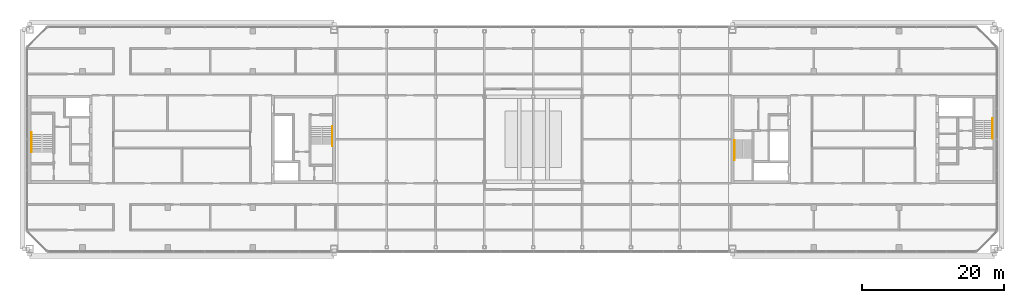
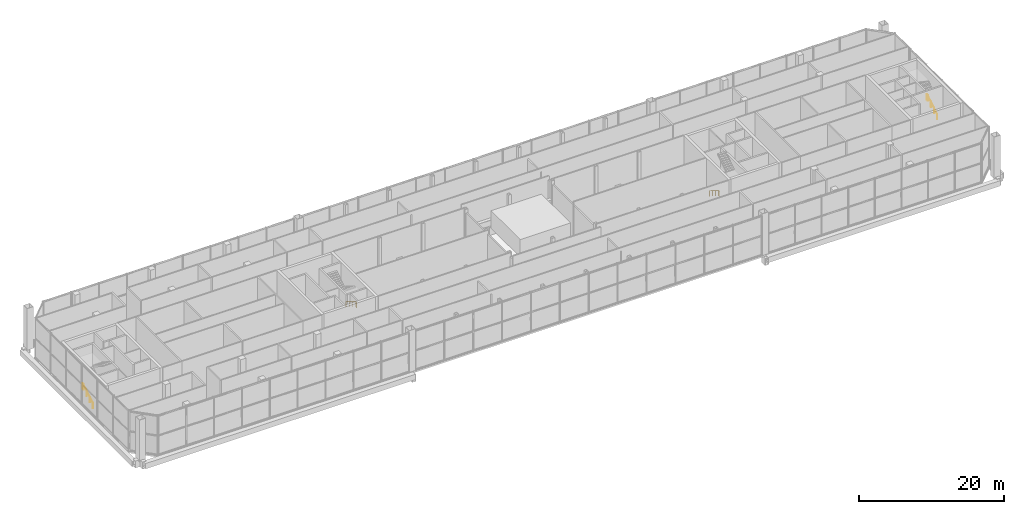
# One storey, part 27 of 27: 4 railings.
"""IFC4 building model written with IfcOpenShell, lengths in metres."""

import ifcopenshell
import ifcopenshell.guid

model = None  # the IFC model being written
_history = None  # IfcOwnerHistory: only IFC2X3 demands one
_inside = {}  # id of a spatial element -> (the spatial element, [elements in it])
_under = {}  # id of a project, library or spatial element -> (it, [spatial elements below it])
_declared = {}  # id of a project -> (the project, [libraries it declares])
_typed = {}  # id of a type object -> (the type object, [elements of that type])
_made_of = {}  # id of a material, layer set ... -> (it, [elements and type objects made of it])


def new_model(schema):
    """Start an empty IFC model of exactly this schema.

    Asked for "IFC4X3", IfcOpenShell would pick the latest addendum, in which some entities
    have other attributes; the version numbers below select the first issue.
    IFC2X3 requires an IfcOwnerHistory on every rooted entity: one is made here for all.
    """
    global model, _history
    if schema == "IFC4X3":
        model = ifcopenshell.file(schema_version=(4, 3, 0, 0))
    else:
        model = ifcopenshell.file(schema=schema)
    _inside.clear()
    _under.clear()
    _declared.clear()
    _typed.clear()
    _made_of.clear()
    _history = None
    if model.schema == "IFC2X3":
        org = make("IfcOrganization", Name="unknown")
        user = make(
            "IfcPersonAndOrganization",
            ThePerson=make("IfcPerson", FamilyName="unknown"),
            TheOrganization=org,
        )
        app = make(
            "IfcApplication",
            ApplicationDeveloper=org,
            Version="unknown",
            ApplicationFullName="unknown",
            ApplicationIdentifier="unknown",
        )
        _history = make(
            "IfcOwnerHistory",
            OwningUser=user,
            OwningApplication=app,
            ChangeAction="ADDED",
            CreationDate=0,
        )
    return model


def make(cls, **values):
    """One entity of the class cls with the attributes given. An attribute that is None is left unset."""
    return model.create_entity(
        cls, **{name: value for name, value in values.items() if value is not None}
    )


def rooted(cls, **values):
    """An entity with a GlobalId (a new one), such as an element, a storey or a relation."""
    return make(cls, GlobalId=ifcopenshell.guid.new(), OwnerHistory=_history, **values)


def si_unit(unit_type, name, prefix=None):
    """IfcSIUnit, for example si_unit("LENGTHUNIT", "METRE", prefix="MILLI")."""
    return make("IfcSIUnit", UnitType=unit_type, Prefix=prefix, Name=name)


def assignment(units):
    """IfcUnitAssignment: the units of a project."""
    return None if units is None else make("IfcUnitAssignment", Units=units)


def point(xyz):
    """IfcCartesianPoint."""
    return None if xyz is None else make("IfcCartesianPoint", Coordinates=xyz)


def direction(xyz):
    """IfcDirection."""
    return None if xyz is None else make("IfcDirection", DirectionRatios=xyz)


def frame(location, z_axis=None, x_axis=None):
    """IfcAxis2Placement3D, a coordinate frame: its origin and axes. An axis left out is left unset."""
    return make(
        "IfcAxis2Placement3D",
        Location=point(location),
        Axis=direction(z_axis),
        RefDirection=direction(x_axis),
    )


def frame_2d(location, x_axis=None):
    """IfcAxis2Placement2D, a coordinate frame in the plane: its origin and x axis."""
    return make(
        "IfcAxis2Placement2D", Location=point(location), RefDirection=direction(x_axis)
    )


def origin():
    """The frame at (0, 0, 0) with its axes left unset."""
    return frame((0.0, 0.0, 0.0))


def origin_2d():
    """The frame at (0, 0) in the plane with its x axis left unset."""
    return frame_2d((0.0, 0.0))


def place(relative_to, where):
    """IfcLocalPlacement: puts the frame where relative to a parent placement (None: the world)."""
    return make(
        "IfcLocalPlacement", PlacementRelTo=relative_to, RelativePlacement=where
    )


def context(
    kind, dimensions, precision=None, world=None, true_north=None, identifier=None
):
    """IfcGeometricRepresentationContext, for example the 3D "Model" context."""
    return make(
        "IfcGeometricRepresentationContext",
        ContextIdentifier=identifier,
        ContextType=kind,
        CoordinateSpaceDimension=dimensions,
        Precision=precision,
        WorldCoordinateSystem=world,
        TrueNorth=true_north,
    )


def subcontext(parent, identifier, kind, view, scale=None):
    """IfcGeometricRepresentationSubContext, for example "Body" below "Model"."""
    return make(
        "IfcGeometricRepresentationSubContext",
        ContextIdentifier=identifier,
        ContextType=kind,
        ParentContext=parent,
        TargetScale=scale,
        TargetView=view,
    )


def project(units=None, contexts=None):
    """IfcProject with its units and contexts."""
    return rooted(
        "IfcProject",
        Name="project",
        RepresentationContexts=contexts,
        UnitsInContext=assignment(units),
    )


def spatial(cls, under=None, at=None, **own):
    """A site, building, storey or space (cls), placed at a placement, below another one or the project."""
    s = rooted(cls, ObjectPlacement=at, **own)
    if under is not None:
        _under.setdefault(under.id(), (under, []))[1].append(s)
    return s


def profile(cls, at=None, kind="AREA", **sizes):
    """A parametric profile (cls). Its sizes go by their IFC names, for example OverallWidth=200.0."""
    return make(cls, ProfileType=kind, Position=at, **sizes)


def circle(**sizes):
    """IfcCircleProfileDef."""
    return profile("IfcCircleProfileDef", **sizes)


def extrude(swept, where, along, depth):
    """IfcExtrudedAreaSolid: the profile swept, set in the frame where, extruded along a direction by depth."""
    return make(
        "IfcExtrudedAreaSolid",
        SweptArea=swept,
        Position=where,
        ExtrudedDirection=direction(along),
        Depth=depth,
    )


def shape(context_of_items, identifier, shape_type, items):
    """IfcShapeRepresentation: the items that make up one representation, for example the "Body"."""
    return make(
        "IfcShapeRepresentation",
        ContextOfItems=context_of_items,
        RepresentationIdentifier=identifier,
        RepresentationType=shape_type,
        Items=items,
    )


def material(Name=None, Category=None):
    """IfcMaterial."""
    return make("IfcMaterial", Name=Name, Category=Category)


def made_of(thing, what):
    """Note that an element or type object is made of a material, layer set ...; save() writes the relation."""
    if what is not None:
        _made_of.setdefault(what.id(), (what, []))[1].append(thing)
    return thing


def type_object(cls, material=None, **own):
    """A type object (cls), such as IfcWallType, which elements share."""
    return made_of(rooted(cls, **own), material)


def element(
    cls,
    number,
    at=None,
    inside=None,
    cuts=None,
    type_object=None,
    material=None,
    context=None,
    identifier="Body",
    shape_type=None,
    held_by="IfcProductDefinitionShape",
    body=None,
    shapes=None,
    **own,
):
    """One element of the class cls, such as IfcWall. Its Tag is "e" and its number.

    at: its placement. inside: the storey or other place that contains it. cuts: it is an
    opening in that element (IfcRelVoidsElement). A single representation is given by context,
    identifier, shape_type and body (its items); several are given by shapes. held_by: the class
    of the entity that holds the representations. save() writes the other relations.
    """
    e = rooted(cls, Tag="e%d" % number, ObjectPlacement=at, **own)
    if body is not None:
        shapes = [shape(context, identifier, shape_type, body)]
    if shapes is not None:
        e.Representation = make(held_by, Representations=shapes)
    if inside is not None:
        _inside.setdefault(inside.id(), (inside, []))[1].append(e)
    if cuts is not None:
        rooted(
            "IfcRelVoidsElement", RelatingBuildingElement=cuts, RelatedOpeningElement=e
        )
    if type_object is not None:
        _typed.setdefault(type_object.id(), (type_object, []))[1].append(e)
    return made_of(e, material)


def aggregate(whole, parts):
    """IfcRelAggregates: a whole, such as a stair, and the parts it consists of."""
    return rooted("IfcRelAggregates", RelatingObject=whole, RelatedObjects=parts)


def save(model, path):
    """Write the relations noted so far, then the file.

    IfcRelAggregates (storeys below a building ...), IfcRelContainedInSpatialStructure (elements
    in a storey), IfcRelDefinesByType, IfcRelAssociatesMaterial and IfcRelDeclares: one each for
    every whole, place, type object, material and project.
    """
    for whole, parts in _under.values():
        aggregate(whole, parts)
    for where, things in _inside.values():
        rooted(
            "IfcRelContainedInSpatialStructure",
            RelatedElements=things,
            RelatingStructure=where,
        )
    for kind, things in _typed.values():
        rooted("IfcRelDefinesByType", RelatedObjects=things, RelatingType=kind)
    for what, things in _made_of.values():
        rooted("IfcRelAssociatesMaterial", RelatedObjects=things, RelatingMaterial=what)
    for by, libraries in _declared.values():
        rooted("IfcRelDeclares", RelatingContext=by, RelatedDefinitions=libraries)
    model.write(path)


model = new_model("IFC4")

# Units and contexts
model_context = context("Model", 3, precision=1e-05, world=origin(), true_north=direction((0.0, 1.0)))
body_context = subcontext(model_context, "Body", "Model", "MODEL_VIEW")
ifc_project = project(units=[si_unit("LENGTHUNIT", "METRE"), si_unit("AREAUNIT", "SQUARE_METRE"), si_unit("VOLUMEUNIT", "CUBIC_METRE"), si_unit("PLANEANGLEUNIT", "RADIAN"), si_unit("MASSUNIT", "GRAM", prefix="KILO")], contexts=[model_context])

# Site, building, storey
site_placement = place(None, origin())
site = spatial("IfcSite", under=ifc_project, at=site_placement, CompositionType="ELEMENT")
building_placement = place(site_placement, origin())
building = spatial("IfcBuilding", under=site, at=building_placement, Name="Tuart Gate Housing", CompositionType="ELEMENT")
storey_placement = place(building_placement, frame((0.0, 0.0, 236.89990234375)))
storey = spatial("IfcBuildingStorey", under=building, at=storey_placement, Name="L67", CompositionType="ELEMENT", Elevation=236.89990234375)

# Railings
ifc_material = material(Name="Stainless steel", Category="steel")
railing_type = type_object("IfcRailingType", Name="Stair handrail 900", PredefinedType="HANDRAIL", material=ifc_material)
railing_1_placement = place(storey_placement, frame((75.179931640625, 71.824951171875, 0.175048828125)))
element("IfcRailing", 1, at=railing_1_placement, inside=storey, type_object=railing_type, Name="Stair handrail SA1.1", PredefinedType="HANDRAIL", context=body_context, shape_type="SweptSolid", body=[
    extrude(circle(Radius=0.02392578125, at=origin_2d()), frame((0.0, 0.0, 0.8759765625), z_axis=(0.0, -0.848007534815, 0.529984170421), x_axis=(1.0, 0.0, 0.0)), (0.0, 0.0, 1.0), 2.9716796875),
    extrude(circle(Radius=0.02392578125, at=origin_2d()), frame((0.0, -2.52001953125, 2.45068359375), z_axis=(0.0, -1.0, 0.0), x_axis=(1.0, 0.0, 0.0)), (0.0, 0.0, 1.0), 0.300048828125),
    extrude(circle(Radius=0.02099609375, at=origin_2d()), origin(), (0.0, 0.0, 1.0), 0.851806640625),
    extrude(circle(Radius=0.02099609375, at=origin_2d()), frame((0.0, -0.840087890625, 0.52490234375)), (0.0, 0.0, 1.0), 0.851806640625),
    extrude(circle(Radius=0.02099609375, at=origin_2d()), frame((0.0, -1.679931640625, 1.050048828125)), (0.0, 0.0, 1.0), 0.851806640625),
    extrude(circle(Radius=0.02099609375, at=origin_2d()), frame((0.0, -2.52001953125, 1.574951171875)), (0.0, 0.0, 1.0), 0.851806640625),
    extrude(circle(Radius=0.02099609375, at=origin_2d()), frame((0.0, -2.820068359375, 1.574951171875)), (0.0, 0.0, 1.0), 0.851806640625),
])
railing_2_placement = place(storey_placement, frame((32.820068359375, 68.175048828125, 0.175048828125)))
element("IfcRailing", 2, at=railing_2_placement, inside=storey, type_object=railing_type, Name="Stair handrail SA2.1", PredefinedType="HANDRAIL", context=body_context, shape_type="SweptSolid", body=[
    extrude(circle(Radius=0.02392578125, at=origin_2d()), frame((0.0, 0.0, 0.8759765625), z_axis=(0.0, 0.848007534815, 0.529984170421), x_axis=(-1.0, 0.0, 0.0)), (0.0, 0.0, 1.0), 2.9716796875),
    extrude(circle(Radius=0.02392578125, at=origin_2d()), frame((0.0, 2.52001953125, 2.45068359375), z_axis=(0.0, 1.0, 0.0), x_axis=(-1.0, 0.0, 0.0)), (0.0, 0.0, 1.0), 0.300048828125),
    extrude(circle(Radius=0.02099609375, at=origin_2d()), origin(), (0.0, 0.0, 1.0), 0.851806640625),
    extrude(circle(Radius=0.02099609375, at=origin_2d()), frame((0.0, 0.840087890625, 0.52490234375)), (0.0, 0.0, 1.0), 0.851806640625),
    extrude(circle(Radius=0.02099609375, at=origin_2d()), frame((0.0, 1.679931640625, 1.050048828125)), (0.0, 0.0, 1.0), 0.851806640625),
    extrude(circle(Radius=0.02099609375, at=origin_2d()), frame((0.0, 2.52001953125, 1.574951171875)), (0.0, 0.0, 1.0), 0.851806640625),
    extrude(circle(Radius=0.02099609375, at=origin_2d()), frame((0.0, 2.820068359375, 1.574951171875)), (0.0, 0.0, 1.0), 0.851806640625),
])
railing_3_placement = place(storey_placement, frame((131.820068359375, 69.875, 0.175048828125)))
element("IfcRailing", 3, at=railing_3_placement, inside=storey, type_object=railing_type, Name="Stair handrail SB1.1", PredefinedType="HANDRAIL", context=body_context, shape_type="SweptSolid", body=[
    extrude(circle(Radius=0.02392578125, at=origin_2d()), frame((0.0, 0.0, 0.8759765625), z_axis=(0.0, -0.848007534815, 0.529984170421), x_axis=(1.0, 0.0, 0.0)), (0.0, 0.0, 1.0), 2.9716796875),
    extrude(circle(Radius=0.02392578125, at=origin_2d()), frame((0.0, -2.52001953125, 2.45068359375), z_axis=(0.0, -1.0, 0.0), x_axis=(1.0, 0.0, 0.0)), (0.0, 0.0, 1.0), 0.300048828125),
    extrude(circle(Radius=0.02099609375, at=origin_2d()), origin(), (0.0, 0.0, 1.0), 0.851806640625),
    extrude(circle(Radius=0.02099609375, at=origin_2d()), frame((0.0, -0.840087890625, 0.52490234375)), (0.0, 0.0, 1.0), 0.851806640625),
    extrude(circle(Radius=0.02099609375, at=origin_2d()), frame((0.0, -1.679931640625, 1.050048828125)), (0.0, 0.0, 1.0), 0.851806640625),
    extrude(circle(Radius=0.02099609375, at=origin_2d()), frame((0.0, -2.52001953125, 1.574951171875)), (0.0, 0.0, 1.0), 0.851806640625),
    extrude(circle(Radius=0.02099609375, at=origin_2d()), frame((0.0, -2.820068359375, 1.574951171875)), (0.0, 0.0, 1.0), 0.851806640625),
])
railing_4_placement = place(storey_placement, frame((168.179931640625, 70.125, 0.175048828125)))
element("IfcRailing", 4, at=railing_4_placement, inside=storey, type_object=railing_type, Name="Stair handrail SB2.1", PredefinedType="HANDRAIL", context=body_context, shape_type="SweptSolid", body=[
    extrude(circle(Radius=0.02392578125, at=origin_2d()), frame((0.0, 0.0, 0.8759765625), z_axis=(0.0, 0.848007534815, 0.529984170421), x_axis=(-1.0, 0.0, 0.0)), (0.0, 0.0, 1.0), 2.9716796875),
    extrude(circle(Radius=0.02392578125, at=origin_2d()), frame((0.0, 2.52001953125, 2.45068359375), z_axis=(0.0, 1.0, 0.0), x_axis=(-1.0, 0.0, 0.0)), (0.0, 0.0, 1.0), 0.300048828125),
    extrude(circle(Radius=0.02099609375, at=origin_2d()), origin(), (0.0, 0.0, 1.0), 0.851806640625),
    extrude(circle(Radius=0.02099609375, at=origin_2d()), frame((0.0, 0.840087890625, 0.52490234375)), (0.0, 0.0, 1.0), 0.851806640625),
    extrude(circle(Radius=0.02099609375, at=origin_2d()), frame((0.0, 1.679931640625, 1.050048828125)), (0.0, 0.0, 1.0), 0.851806640625),
    extrude(circle(Radius=0.02099609375, at=origin_2d()), frame((0.0, 2.52001953125, 1.574951171875)), (0.0, 0.0, 1.0), 0.851806640625),
    extrude(circle(Radius=0.02099609375, at=origin_2d()), frame((0.0, 2.820068359375, 1.574951171875)), (0.0, 0.0, 1.0), 0.851806640625),
])

save(model, "model.ifc")
